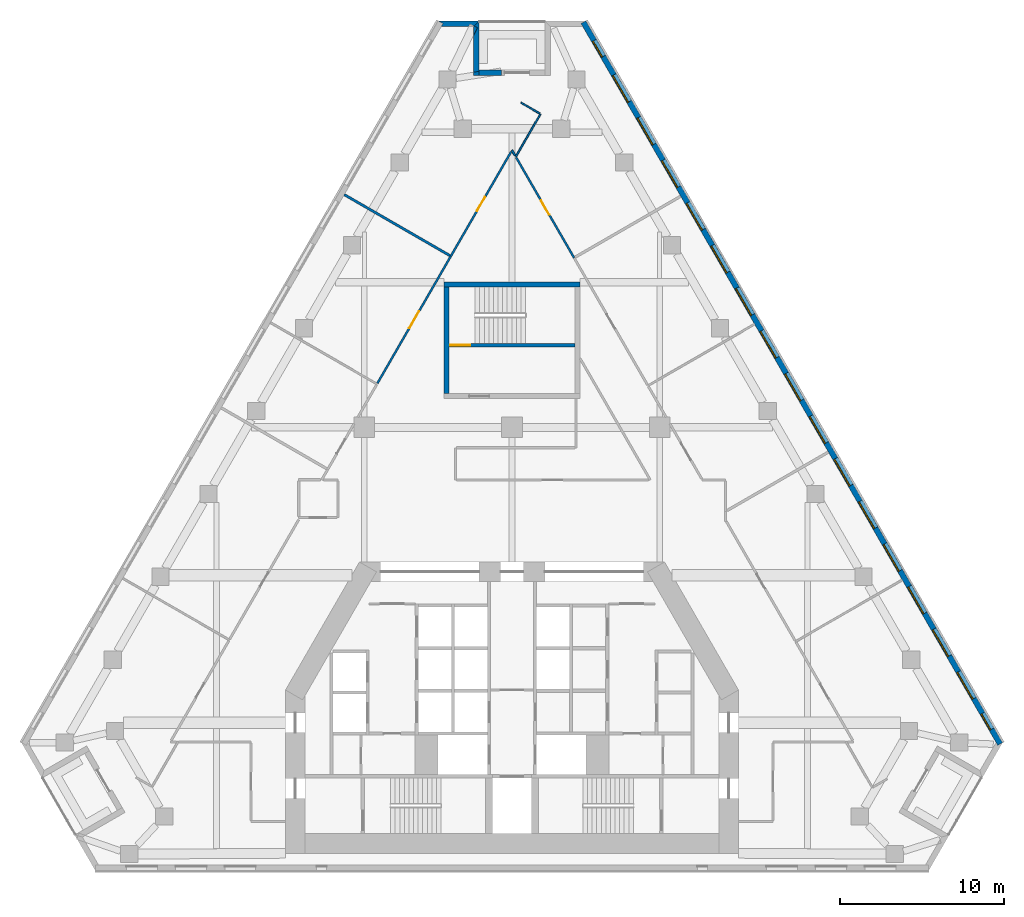
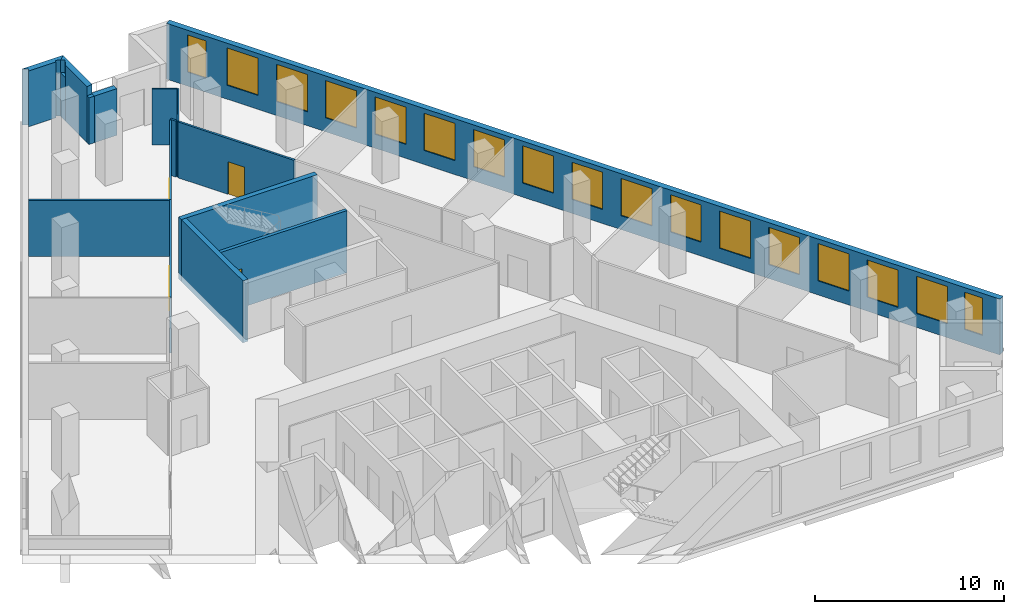
# One storey, part 8 of 10: 17 windows, 16 walls, 4 doors, 21 openings.
"""IFC4 building model written with IfcOpenShell, lengths in metres."""

from ifc_helpers import new_model, si_unit, direction, frame, frame_2d, origin, place, context, subcontext, project, spatial, polyline, rectangle, outline, extrude, material, layer, layer_set, type_object, element, fill, save


model = new_model("IFC4")

# Units and contexts
model_context = context("Model", 3, precision=1e-05, world=origin(), true_north=direction((0.0, 1.0)))
body_context = subcontext(model_context, "Body", "Model", "MODEL_VIEW")
ifc_project = project(units=[si_unit("LENGTHUNIT", "METRE"), si_unit("AREAUNIT", "SQUARE_METRE"), si_unit("VOLUMEUNIT", "CUBIC_METRE"), si_unit("PLANEANGLEUNIT", "RADIAN"), si_unit("MASSUNIT", "GRAM", prefix="KILO")], contexts=[model_context])

# Site, building, storey
site_placement = place(None, origin())
site = spatial("IfcSite", under=ifc_project, at=site_placement, CompositionType="ELEMENT")
building_placement = place(site_placement, origin())
building = spatial("IfcBuilding", under=site, at=building_placement, Name="Fogline Exchange Tower", CompositionType="ELEMENT")
storey_placement = place(building_placement, frame((0.0, 0.0, 120.10009765625)))
storey = spatial("IfcBuildingStorey", under=building, at=storey_placement, Name="L26", CompositionType="ELEMENT", Elevation=120.10009765625)

# Wall, opening, door
ifc_material_1 = material(Name="Concrete C40", Category="concrete")
ifc_layer_1 = layer(ifc_material_1, 0.199951171875)
ifc_layer_set_1 = layer_set([ifc_layer_1], Name="CW20R")
wall_type_1 = type_object("IfcWallType", Name="CW20R", PredefinedType="SOLIDWALL", material=ifc_layer_set_1)
wall_1_placement = place(storey_placement, frame((-3.85009765625, 32.007080078125, -0.400146484375), z_axis=(0.0, 0.0, 1.0), x_axis=(1.0, 0.0, 0.0)))
wall_1 = element("IfcWall", 1, at=wall_1_placement, inside=storey, type_object=wall_type_1, Name="Stair enclosure wall ST3", PredefinedType="SOLIDWALL", context=body_context, shape_type="SweptSolid", body=[
    extrude(rectangle(XDim=7.7001953125, YDim=0.199951171875, at=frame_2d((3.85009765625, 0.0))), origin(), (0.0, 0.0, 1.0), 4.0),
])
opening_1_placement = place(wall_1_placement, frame((0.10009765625, 0.0, 0.39990234375)))
opening_1 = element("IfcOpeningElement", 2, at=opening_1_placement, cuts=wall_1, Name="Opening T08-C024", PredefinedType="OPENING", context=body_context, shape_type="SweptSolid", body=[
    extrude(rectangle(XDim=1.199951171875, YDim=2.10009765625, at=frame_2d((0.60009765625, 1.050048828125))), frame((0.0, 0.10986328125, 0.0), z_axis=(0.0, -1.0, 0.0), x_axis=(1.0, 0.0, 0.0)), (0.0, 0.0, 1.0), 0.219970703125),
])
ifc_material_2 = material(Name="Steel and timber fire door", Category="steel")
door_type_1 = type_object("IfcDoorType", Name="D-ST1", OperationType="SINGLE_SWING_LEFT", PredefinedType="DOOR", material=ifc_material_2)
door_1_placement = place(opening_1_placement, origin())
door_1 = element("IfcDoor", 3, at=door_1_placement, inside=storey, type_object=door_type_1, Name="Stair door ST3", OperationType="SINGLE_SWING_LEFT", OverallHeight=2.10009765625, OverallWidth=1.199951171875, PredefinedType="DOOR", context=body_context, shape_type="SweptSolid", body=[
    extrude(rectangle(XDim=1.199951171875, YDim=2.10009765625, at=frame_2d((0.60009765625, 1.050048828125))), frame((0.0, 0.02490234375, 0.0), z_axis=(0.0, -1.0, 0.0), x_axis=(1.0, 0.0, 0.0)), (0.0, 0.0, 1.0), 0.050048828125),
])
fill(opening_1, door_1)

# Walls
ifc_layer_2 = layer(ifc_material_1, 0.300048828125)
ifc_layer_set_2 = layer_set([ifc_layer_2], Name="CW30")
wall_type_2 = type_object("IfcWallType", Name="CW30", PredefinedType="SOLIDWALL", material=ifc_layer_set_2)
wall_2_placement = place(storey_placement, frame((-4.14990234375, 35.70703125, -0.400146484375), z_axis=(0.0, 0.0, 1.0), x_axis=(1.0, 0.0, 0.0)))
element("IfcWall", 4, at=wall_2_placement, inside=storey, type_object=wall_type_2, Name="Stair enclosure wall ST3", PredefinedType="SOLIDWALL", context=body_context, shape_type="SweptSolid", body=[
    extrude(rectangle(XDim=8.2998046875, YDim=0.300048828125, at=frame_2d((4.14990234375, 0.0))), origin(), (0.0, 0.0, 1.0), 4.0),
])
wall_3_placement = place(storey_placement, frame((-4.0, 29.056884765625, -0.400146484375), z_axis=(0.0, 0.0, 1.0), x_axis=(0.0, 1.0, 0.0)))
element("IfcWall", 5, at=wall_3_placement, inside=storey, type_object=wall_type_2, Name="Stair enclosure wall ST3", PredefinedType="SOLIDWALL", context=body_context, shape_type="SweptSolid", body=[
    extrude(rectangle(XDim=6.5, YDim=0.300048828125, at=frame_2d((3.25, 0.0))), origin(), (0.0, 0.0, 1.0), 4.0),
])

# Wall, openings, windows
ifc_material_3 = material(Name="Brick masonry", Category="masonry")
ifc_layer_3 = layer(ifc_material_3, 0.340087890625)
ifc_layer_set_3 = layer_set([ifc_layer_3], Name="FW1")
wall_type_3 = type_object("IfcWallType", Name="FW1", PredefinedType="SOLIDWALL", material=ifc_layer_set_3)
wall_4_placement = place(storey_placement, frame((29.74609375, 7.709228515625, 0.0), z_axis=(0.0, 0.0, 1.0), x_axis=(-0.500000700546, 0.866024999324, 0.0)))
wall_4 = element("IfcWall", 6, at=wall_4_placement, inside=storey, type_object=wall_type_3, Name="Brick wall L26 E", PredefinedType="SOLIDWALL", context=body_context, shape_type="SweptSolid", body=[
    extrude(rectangle(XDim=50.78662109375, YDim=0.340087890625, at=frame_2d((25.393310546875, 0.0))), origin(), (0.0, 0.0, 1.0), 3.599853515625),
])
opening_2_placement = place(wall_4_placement, frame((3.196533203125, 0.0, 0.89990234375)))
opening_2 = element("IfcOpeningElement", 7, at=opening_2_placement, cuts=wall_4, Name="Opening W1", PredefinedType="OPENING", context=body_context, shape_type="SweptSolid", body=[
    extrude(rectangle(XDim=1.885009765625, YDim=2.39990234375, at=frame_2d((0.9423828125, 1.199951171875))), frame((0.0, 0.18017578125, 0.0), z_axis=(0.0, -1.0, 0.0), x_axis=(1.0, 0.0, 0.0)), (0.0, 0.0, 1.0), 0.360107421875),
])
opening_3_placement = place(wall_4_placement, frame((6.196533203125, 0.0, 0.89990234375)))
opening_3 = element("IfcOpeningElement", 8, at=opening_3_placement, cuts=wall_4, Name="Opening W1", PredefinedType="OPENING", context=body_context, shape_type="SweptSolid", body=[
    extrude(rectangle(XDim=1.885009765625, YDim=2.39990234375, at=frame_2d((0.9423828125, 1.199951171875))), frame((0.0, 0.18017578125, 0.0), z_axis=(0.0, -1.0, 0.0), x_axis=(1.0, 0.0, 0.0)), (0.0, 0.0, 1.0), 0.360107421875),
])
opening_4_placement = place(wall_4_placement, frame((9.196533203125, 0.0, 0.89990234375)))
opening_4 = element("IfcOpeningElement", 9, at=opening_4_placement, cuts=wall_4, Name="Opening W1", PredefinedType="OPENING", context=body_context, shape_type="SweptSolid", body=[
    extrude(rectangle(XDim=1.885009765625, YDim=2.39990234375, at=frame_2d((0.9423828125, 1.199951171875))), frame((0.0, 0.18017578125, 0.0), z_axis=(0.0, -1.0, 0.0), x_axis=(1.0, 0.0, 0.0)), (0.0, 0.0, 1.0), 0.360107421875),
])
opening_5_placement = place(wall_4_placement, frame((12.196533203125, 0.0, 0.89990234375)))
opening_5 = element("IfcOpeningElement", 10, at=opening_5_placement, cuts=wall_4, Name="Opening W1", PredefinedType="OPENING", context=body_context, shape_type="SweptSolid", body=[
    extrude(rectangle(XDim=1.885009765625, YDim=2.39990234375, at=frame_2d((0.9423828125, 1.199951171875))), frame((0.0, 0.18017578125, 0.0), z_axis=(0.0, -1.0, 0.0), x_axis=(1.0, 0.0, 0.0)), (0.0, 0.0, 1.0), 0.360107421875),
])
opening_6_placement = place(wall_4_placement, frame((15.196533203125, 0.0, 0.89990234375)))
opening_6 = element("IfcOpeningElement", 11, at=opening_6_placement, cuts=wall_4, Name="Opening W1", PredefinedType="OPENING", context=body_context, shape_type="SweptSolid", body=[
    extrude(rectangle(XDim=1.885009765625, YDim=2.39990234375, at=frame_2d((0.9423828125, 1.199951171875))), frame((0.0, 0.18017578125, 0.0), z_axis=(0.0, -1.0, 0.0), x_axis=(1.0, 0.0, 0.0)), (0.0, 0.0, 1.0), 0.360107421875),
])
opening_7_placement = place(wall_4_placement, frame((18.196533203125, 0.0, 0.89990234375)))
opening_7 = element("IfcOpeningElement", 12, at=opening_7_placement, cuts=wall_4, Name="Opening W1", PredefinedType="OPENING", context=body_context, shape_type="SweptSolid", body=[
    extrude(rectangle(XDim=1.885009765625, YDim=2.39990234375, at=frame_2d((0.9423828125, 1.199951171875))), frame((0.0, 0.18017578125, 0.0), z_axis=(0.0, -1.0, 0.0), x_axis=(1.0, 0.0, 0.0)), (0.0, 0.0, 1.0), 0.360107421875),
])
opening_8_placement = place(wall_4_placement, frame((21.196533203125, 0.0, 0.89990234375)))
opening_8 = element("IfcOpeningElement", 13, at=opening_8_placement, cuts=wall_4, Name="Opening W1", PredefinedType="OPENING", context=body_context, shape_type="SweptSolid", body=[
    extrude(rectangle(XDim=1.885009765625, YDim=2.39990234375, at=frame_2d((0.9423828125, 1.199951171875))), frame((0.0, 0.18017578125, 0.0), z_axis=(0.0, -1.0, 0.0), x_axis=(1.0, 0.0, 0.0)), (0.0, 0.0, 1.0), 0.360107421875),
])
opening_9_placement = place(wall_4_placement, frame((24.196533203125, 0.0, 0.89990234375)))
opening_9 = element("IfcOpeningElement", 14, at=opening_9_placement, cuts=wall_4, Name="Opening W1", PredefinedType="OPENING", context=body_context, shape_type="SweptSolid", body=[
    extrude(rectangle(XDim=1.885009765625, YDim=2.39990234375, at=frame_2d((0.9423828125, 1.199951171875))), frame((0.0, 0.18017578125, 0.0), z_axis=(0.0, -1.0, 0.0), x_axis=(1.0, 0.0, 0.0)), (0.0, 0.0, 1.0), 0.360107421875),
])
opening_10_placement = place(wall_4_placement, frame((27.196533203125, 0.0, 0.89990234375)))
opening_10 = element("IfcOpeningElement", 15, at=opening_10_placement, cuts=wall_4, Name="Opening W1", PredefinedType="OPENING", context=body_context, shape_type="SweptSolid", body=[
    extrude(rectangle(XDim=1.885009765625, YDim=2.39990234375, at=frame_2d((0.9423828125, 1.199951171875))), frame((0.0, 0.18017578125, 0.0), z_axis=(0.0, -1.0, 0.0), x_axis=(1.0, 0.0, 0.0)), (0.0, 0.0, 1.0), 0.360107421875),
])
opening_11_placement = place(wall_4_placement, frame((30.196533203125, 0.0, 0.89990234375)))
opening_11 = element("IfcOpeningElement", 16, at=opening_11_placement, cuts=wall_4, Name="Opening W1", PredefinedType="OPENING", context=body_context, shape_type="SweptSolid", body=[
    extrude(rectangle(XDim=1.885009765625, YDim=2.39990234375, at=frame_2d((0.9423828125, 1.199951171875))), frame((0.0, 0.18017578125, 0.0), z_axis=(0.0, -1.0, 0.0), x_axis=(1.0, 0.0, 0.0)), (0.0, 0.0, 1.0), 0.360107421875),
])
opening_12_placement = place(wall_4_placement, frame((33.196533203125, 0.0, 0.89990234375)))
opening_12 = element("IfcOpeningElement", 17, at=opening_12_placement, cuts=wall_4, Name="Opening W1", PredefinedType="OPENING", context=body_context, shape_type="SweptSolid", body=[
    extrude(rectangle(XDim=1.885009765625, YDim=2.39990234375, at=frame_2d((0.9423828125, 1.199951171875))), frame((0.0, 0.18017578125, 0.0), z_axis=(0.0, -1.0, 0.0), x_axis=(1.0, 0.0, 0.0)), (0.0, 0.0, 1.0), 0.360107421875),
])
opening_13_placement = place(wall_4_placement, frame((36.196533203125, 0.0, 0.89990234375)))
opening_13 = element("IfcOpeningElement", 18, at=opening_13_placement, cuts=wall_4, Name="Opening W1", PredefinedType="OPENING", context=body_context, shape_type="SweptSolid", body=[
    extrude(rectangle(XDim=1.885009765625, YDim=2.39990234375, at=frame_2d((0.9423828125, 1.199951171875))), frame((0.0, 0.18017578125, 0.0), z_axis=(0.0, -1.0, 0.0), x_axis=(1.0, 0.0, 0.0)), (0.0, 0.0, 1.0), 0.360107421875),
])
opening_14_placement = place(wall_4_placement, frame((39.196533203125, 0.0, 0.89990234375)))
opening_14 = element("IfcOpeningElement", 19, at=opening_14_placement, cuts=wall_4, Name="Opening W1", PredefinedType="OPENING", context=body_context, shape_type="SweptSolid", body=[
    extrude(rectangle(XDim=1.885009765625, YDim=2.39990234375, at=frame_2d((0.9423828125, 1.199951171875))), frame((0.0, 0.18017578125, 0.0), z_axis=(0.0, -1.0, 0.0), x_axis=(1.0, 0.0, 0.0)), (0.0, 0.0, 1.0), 0.360107421875),
])
opening_15_placement = place(wall_4_placement, frame((42.196533203125, 0.0, 0.89990234375)))
opening_15 = element("IfcOpeningElement", 20, at=opening_15_placement, cuts=wall_4, Name="Opening W1", PredefinedType="OPENING", context=body_context, shape_type="SweptSolid", body=[
    extrude(rectangle(XDim=1.885009765625, YDim=2.39990234375, at=frame_2d((0.9423828125, 1.199951171875))), frame((0.0, 0.18017578125, 0.0), z_axis=(0.0, -1.0, 0.0), x_axis=(1.0, 0.0, 0.0)), (0.0, 0.0, 1.0), 0.360107421875),
])
opening_16_placement = place(wall_4_placement, frame((45.196533203125, 0.0, 0.89990234375)))
opening_16 = element("IfcOpeningElement", 21, at=opening_16_placement, cuts=wall_4, Name="Opening W1", PredefinedType="OPENING", context=body_context, shape_type="SweptSolid", body=[
    extrude(rectangle(XDim=1.885009765625, YDim=2.39990234375, at=frame_2d((0.9423828125, 1.199951171875))), frame((0.0, 0.18017578125, 0.0), z_axis=(0.0, -1.0, 0.0), x_axis=(1.0, 0.0, 0.0)), (0.0, 0.0, 1.0), 0.360107421875),
])
opening_17_placement = place(wall_4_placement, frame((1.040771484375, 0.0, 0.89990234375)))
opening_17 = element("IfcOpeningElement", 22, at=opening_17_placement, cuts=wall_4, Name="Opening W4", PredefinedType="OPENING", context=body_context, shape_type="SweptSolid", body=[
    extrude(rectangle(XDim=1.114990234375, YDim=2.39990234375, at=frame_2d((0.5576171875, 1.199951171875))), frame((0.0, 0.18017578125, 0.0), z_axis=(0.0, -1.0, 0.0), x_axis=(1.0, 0.0, 0.0)), (0.0, 0.0, 1.0), 0.360107421875),
])
opening_18_placement = place(wall_4_placement, frame((48.37646484375, 0.0, 0.89990234375)))
opening_18 = element("IfcOpeningElement", 23, at=opening_18_placement, cuts=wall_4, Name="Opening W4", PredefinedType="OPENING", context=body_context, shape_type="SweptSolid", body=[
    extrude(rectangle(XDim=1.114990234375, YDim=2.39990234375, at=frame_2d((0.5576171875, 1.199951171875))), frame((0.0, 0.18017578125, 0.0), z_axis=(0.0, -1.0, 0.0), x_axis=(1.0, 0.0, 0.0)), (0.0, 0.0, 1.0), 0.360107421875),
])
ifc_material_4 = material(Name="Aluminium and glass", Category="aluminium")
window_type_1 = type_object("IfcWindowType", Name="W1", PartitioningType="SINGLE_PANEL", PredefinedType="WINDOW", material=ifc_material_4)
window_1_placement = place(opening_2_placement, origin())
window_1 = element("IfcWindow", 24, at=window_1_placement, inside=storey, type_object=window_type_1, Name="W1 W1", OverallHeight=2.39990234375, OverallWidth=1.885009765625, PartitioningType="SINGLE_PANEL", PredefinedType="WINDOW", context=body_context, shape_type="SweptSolid", body=[
    extrude(rectangle(XDim=1.885009765625, YDim=2.39990234375, at=frame_2d((0.9423828125, 1.199951171875))), frame((0.0, 0.110107421875, 0.0), z_axis=(0.0, -1.0, 0.0), x_axis=(1.0, 0.0, 0.0)), (0.0, 0.0, 1.0), 0.06005859375),
])
fill(opening_2, window_1)
window_2_placement = place(opening_3_placement, origin())
window_2 = element("IfcWindow", 25, at=window_2_placement, inside=storey, type_object=window_type_1, Name="W1 W1", OverallHeight=2.39990234375, OverallWidth=1.885009765625, PartitioningType="SINGLE_PANEL", PredefinedType="WINDOW", context=body_context, shape_type="SweptSolid", body=[
    extrude(rectangle(XDim=1.885009765625, YDim=2.39990234375, at=frame_2d((0.9423828125, 1.199951171875))), frame((0.0, 0.110107421875, 0.0), z_axis=(0.0, -1.0, 0.0), x_axis=(1.0, 0.0, 0.0)), (0.0, 0.0, 1.0), 0.06005859375),
])
fill(opening_3, window_2)
window_3_placement = place(opening_4_placement, origin())
window_3 = element("IfcWindow", 26, at=window_3_placement, inside=storey, type_object=window_type_1, Name="W1 W1", OverallHeight=2.39990234375, OverallWidth=1.885009765625, PartitioningType="SINGLE_PANEL", PredefinedType="WINDOW", context=body_context, shape_type="SweptSolid", body=[
    extrude(rectangle(XDim=1.885009765625, YDim=2.39990234375, at=frame_2d((0.9423828125, 1.199951171875))), frame((0.0, 0.110107421875, 0.0), z_axis=(0.0, -1.0, 0.0), x_axis=(1.0, 0.0, 0.0)), (0.0, 0.0, 1.0), 0.06005859375),
])
fill(opening_4, window_3)
window_4_placement = place(opening_5_placement, origin())
window_4 = element("IfcWindow", 27, at=window_4_placement, inside=storey, type_object=window_type_1, Name="W1 W1", OverallHeight=2.39990234375, OverallWidth=1.885009765625, PartitioningType="SINGLE_PANEL", PredefinedType="WINDOW", context=body_context, shape_type="SweptSolid", body=[
    extrude(rectangle(XDim=1.885009765625, YDim=2.39990234375, at=frame_2d((0.9423828125, 1.199951171875))), frame((0.0, 0.110107421875, 0.0), z_axis=(0.0, -1.0, 0.0), x_axis=(1.0, 0.0, 0.0)), (0.0, 0.0, 1.0), 0.06005859375),
])
fill(opening_5, window_4)
window_5_placement = place(opening_6_placement, origin())
window_5 = element("IfcWindow", 28, at=window_5_placement, inside=storey, type_object=window_type_1, Name="W1 W1", OverallHeight=2.39990234375, OverallWidth=1.885009765625, PartitioningType="SINGLE_PANEL", PredefinedType="WINDOW", context=body_context, shape_type="SweptSolid", body=[
    extrude(rectangle(XDim=1.885009765625, YDim=2.39990234375, at=frame_2d((0.9423828125, 1.199951171875))), frame((0.0, 0.110107421875, 0.0), z_axis=(0.0, -1.0, 0.0), x_axis=(1.0, 0.0, 0.0)), (0.0, 0.0, 1.0), 0.06005859375),
])
fill(opening_6, window_5)
window_6_placement = place(opening_7_placement, origin())
window_6 = element("IfcWindow", 29, at=window_6_placement, inside=storey, type_object=window_type_1, Name="W1 W1", OverallHeight=2.39990234375, OverallWidth=1.885009765625, PartitioningType="SINGLE_PANEL", PredefinedType="WINDOW", context=body_context, shape_type="SweptSolid", body=[
    extrude(rectangle(XDim=1.885009765625, YDim=2.39990234375, at=frame_2d((0.9423828125, 1.199951171875))), frame((0.0, 0.110107421875, 0.0), z_axis=(0.0, -1.0, 0.0), x_axis=(1.0, 0.0, 0.0)), (0.0, 0.0, 1.0), 0.06005859375),
])
fill(opening_7, window_6)
window_7_placement = place(opening_8_placement, origin())
window_7 = element("IfcWindow", 30, at=window_7_placement, inside=storey, type_object=window_type_1, Name="W1 W1", OverallHeight=2.39990234375, OverallWidth=1.885009765625, PartitioningType="SINGLE_PANEL", PredefinedType="WINDOW", context=body_context, shape_type="SweptSolid", body=[
    extrude(rectangle(XDim=1.885009765625, YDim=2.39990234375, at=frame_2d((0.9423828125, 1.199951171875))), frame((0.0, 0.110107421875, 0.0), z_axis=(0.0, -1.0, 0.0), x_axis=(1.0, 0.0, 0.0)), (0.0, 0.0, 1.0), 0.06005859375),
])
fill(opening_8, window_7)
window_8_placement = place(opening_9_placement, origin())
window_8 = element("IfcWindow", 31, at=window_8_placement, inside=storey, type_object=window_type_1, Name="W1 W1", OverallHeight=2.39990234375, OverallWidth=1.885009765625, PartitioningType="SINGLE_PANEL", PredefinedType="WINDOW", context=body_context, shape_type="SweptSolid", body=[
    extrude(rectangle(XDim=1.885009765625, YDim=2.39990234375, at=frame_2d((0.9423828125, 1.199951171875))), frame((0.0, 0.110107421875, 0.0), z_axis=(0.0, -1.0, 0.0), x_axis=(1.0, 0.0, 0.0)), (0.0, 0.0, 1.0), 0.06005859375),
])
fill(opening_9, window_8)
window_9_placement = place(opening_10_placement, origin())
window_9 = element("IfcWindow", 32, at=window_9_placement, inside=storey, type_object=window_type_1, Name="W1 W1", OverallHeight=2.39990234375, OverallWidth=1.885009765625, PartitioningType="SINGLE_PANEL", PredefinedType="WINDOW", context=body_context, shape_type="SweptSolid", body=[
    extrude(rectangle(XDim=1.885009765625, YDim=2.39990234375, at=frame_2d((0.9423828125, 1.199951171875))), frame((0.0, 0.110107421875, 0.0), z_axis=(0.0, -1.0, 0.0), x_axis=(1.0, 0.0, 0.0)), (0.0, 0.0, 1.0), 0.06005859375),
])
fill(opening_10, window_9)
window_10_placement = place(opening_11_placement, origin())
window_10 = element("IfcWindow", 33, at=window_10_placement, inside=storey, type_object=window_type_1, Name="W1 W1", OverallHeight=2.39990234375, OverallWidth=1.885009765625, PartitioningType="SINGLE_PANEL", PredefinedType="WINDOW", context=body_context, shape_type="SweptSolid", body=[
    extrude(rectangle(XDim=1.885009765625, YDim=2.39990234375, at=frame_2d((0.9423828125, 1.199951171875))), frame((0.0, 0.110107421875, 0.0), z_axis=(0.0, -1.0, 0.0), x_axis=(1.0, 0.0, 0.0)), (0.0, 0.0, 1.0), 0.06005859375),
])
fill(opening_11, window_10)
window_11_placement = place(opening_12_placement, origin())
window_11 = element("IfcWindow", 34, at=window_11_placement, inside=storey, type_object=window_type_1, Name="W1 W1", OverallHeight=2.39990234375, OverallWidth=1.885009765625, PartitioningType="SINGLE_PANEL", PredefinedType="WINDOW", context=body_context, shape_type="SweptSolid", body=[
    extrude(rectangle(XDim=1.885009765625, YDim=2.39990234375, at=frame_2d((0.9423828125, 1.199951171875))), frame((0.0, 0.110107421875, 0.0), z_axis=(0.0, -1.0, 0.0), x_axis=(1.0, 0.0, 0.0)), (0.0, 0.0, 1.0), 0.06005859375),
])
fill(opening_12, window_11)
window_12_placement = place(opening_13_placement, origin())
window_12 = element("IfcWindow", 35, at=window_12_placement, inside=storey, type_object=window_type_1, Name="W1 W1", OverallHeight=2.39990234375, OverallWidth=1.885009765625, PartitioningType="SINGLE_PANEL", PredefinedType="WINDOW", context=body_context, shape_type="SweptSolid", body=[
    extrude(rectangle(XDim=1.885009765625, YDim=2.39990234375, at=frame_2d((0.9423828125, 1.199951171875))), frame((0.0, 0.110107421875, 0.0), z_axis=(0.0, -1.0, 0.0), x_axis=(1.0, 0.0, 0.0)), (0.0, 0.0, 1.0), 0.06005859375),
])
fill(opening_13, window_12)
window_13_placement = place(opening_14_placement, origin())
window_13 = element("IfcWindow", 36, at=window_13_placement, inside=storey, type_object=window_type_1, Name="W1 W1", OverallHeight=2.39990234375, OverallWidth=1.885009765625, PartitioningType="SINGLE_PANEL", PredefinedType="WINDOW", context=body_context, shape_type="SweptSolid", body=[
    extrude(rectangle(XDim=1.885009765625, YDim=2.39990234375, at=frame_2d((0.9423828125, 1.199951171875))), frame((0.0, 0.110107421875, 0.0), z_axis=(0.0, -1.0, 0.0), x_axis=(1.0, 0.0, 0.0)), (0.0, 0.0, 1.0), 0.06005859375),
])
fill(opening_14, window_13)
window_14_placement = place(opening_15_placement, origin())
window_14 = element("IfcWindow", 37, at=window_14_placement, inside=storey, type_object=window_type_1, Name="W1 W1", OverallHeight=2.39990234375, OverallWidth=1.885009765625, PartitioningType="SINGLE_PANEL", PredefinedType="WINDOW", context=body_context, shape_type="SweptSolid", body=[
    extrude(rectangle(XDim=1.885009765625, YDim=2.39990234375, at=frame_2d((0.9423828125, 1.199951171875))), frame((0.0, 0.110107421875, 0.0), z_axis=(0.0, -1.0, 0.0), x_axis=(1.0, 0.0, 0.0)), (0.0, 0.0, 1.0), 0.06005859375),
])
fill(opening_15, window_14)
window_15_placement = place(opening_16_placement, origin())
window_15 = element("IfcWindow", 38, at=window_15_placement, inside=storey, type_object=window_type_1, Name="W1 W1", OverallHeight=2.39990234375, OverallWidth=1.885009765625, PartitioningType="SINGLE_PANEL", PredefinedType="WINDOW", context=body_context, shape_type="SweptSolid", body=[
    extrude(rectangle(XDim=1.885009765625, YDim=2.39990234375, at=frame_2d((0.9423828125, 1.199951171875))), frame((0.0, 0.110107421875, 0.0), z_axis=(0.0, -1.0, 0.0), x_axis=(1.0, 0.0, 0.0)), (0.0, 0.0, 1.0), 0.06005859375),
])
fill(opening_16, window_15)
window_type_2 = type_object("IfcWindowType", Name="W4", PartitioningType="SINGLE_PANEL", PredefinedType="WINDOW", material=ifc_material_4)
window_16_placement = place(opening_17_placement, origin())
window_16 = element("IfcWindow", 39, at=window_16_placement, inside=storey, type_object=window_type_2, Name="W4 W4", OverallHeight=2.39990234375, OverallWidth=1.114990234375, PartitioningType="SINGLE_PANEL", PredefinedType="WINDOW", context=body_context, shape_type="SweptSolid", body=[
    extrude(rectangle(XDim=1.114990234375, YDim=2.39990234375, at=frame_2d((0.5576171875, 1.199951171875))), frame((0.0, 0.110107421875, 0.0), z_axis=(0.0, -1.0, 0.0), x_axis=(1.0, 0.0, 0.0)), (0.0, 0.0, 1.0), 0.06005859375),
])
fill(opening_17, window_16)
window_17_placement = place(opening_18_placement, origin())
window_17 = element("IfcWindow", 40, at=window_17_placement, inside=storey, type_object=window_type_2, Name="W4 W4", OverallHeight=2.39990234375, OverallWidth=1.114990234375, PartitioningType="SINGLE_PANEL", PredefinedType="WINDOW", context=body_context, shape_type="SweptSolid", body=[
    extrude(rectangle(XDim=1.114990234375, YDim=2.39990234375, at=frame_2d((0.5576171875, 1.199951171875))), frame((0.0, 0.110107421875, 0.0), z_axis=(0.0, -1.0, 0.0), x_axis=(1.0, 0.0, 0.0)), (0.0, 0.0, 1.0), 0.06005859375),
])
fill(opening_18, window_17)

# Walls
wall_5_placement = place(storey_placement, frame((-0.64404296875, 48.606689453125, 0.0), z_axis=(0.0, 0.0, 1.0), x_axis=(-1.0, 0.0, 0.0)))
element("IfcWall", 41, at=wall_5_placement, inside=storey, type_object=wall_type_3, Name="Brick wall L26 N-bk", PredefinedType="SOLIDWALL", context=body_context, shape_type="SweptSolid", body=[
    extrude(rectangle(XDim=1.35595703125, YDim=0.340087890625, at=frame_2d((0.677978515625, 0.0))), origin(), (0.0, 0.0, 1.0), 3.0),
])
wall_6_placement = place(storey_placement, origin())
element("IfcWall", 42, at=wall_6_placement, inside=storey, type_object=wall_type_3, Name="Brick wall L26 N-s2", PredefinedType="SOLIDWALL", context=body_context, shape_type="SweptSolid", body=[
    extrude(outline(polyline([(-2.340576171875, 51.43701171875), (-2.320556640625, 51.45703125), (-2.114990234375, 51.357421875), (-2.340576171875, 50.891357421875), (-2.340576171875, 51.43701171875)])), origin(), (0.0, 0.0, 1.0), 2.7998046875),
])
wall_7_placement = place(storey_placement, origin())
element("IfcWall", 43, at=wall_7_placement, inside=storey, type_object=wall_type_3, Name="Brick wall L26 N-s2", PredefinedType="SOLIDWALL", context=body_context, shape_type="SweptSolid", body=[
    extrude(outline(polyline([(-2.340576171875, 48.43603515625), (-2.340576171875, 48.644287109375), (-1.99951171875, 48.697265625), (-1.99951171875, 48.43603515625), (-2.340576171875, 48.43603515625)])), origin(), (0.0, 0.0, 1.0), 3.0),
])
wall_8_placement = place(storey_placement, origin())
element("IfcWall", 44, at=wall_8_placement, inside=storey, type_object=wall_type_3, Name="Brick wall L26 N-s2", PredefinedType="SOLIDWALL", context=body_context, shape_type="SweptSolid", body=[
    extrude(outline(polyline([(-2.340576171875, 50.891357421875), (-2.114990234375, 51.357421875), (-2.320556640625, 51.45703125), (-1.999755859375, 51.77783203125), (-1.99951171875, 51.777587890625), (-1.99951171875, 48.697265625), (-2.340576171875, 48.644287109375), (-2.340576171875, 50.891357421875)])), origin(), (0.0, 0.0, 1.0), 3.599853515625),
])
wall_9_placement = place(storey_placement, origin())
element("IfcWall", 45, at=wall_9_placement, inside=storey, type_object=wall_type_3, Name="Brick wall L26 N-c2", PredefinedType="SOLIDWALL", context=body_context, shape_type="SweptSolid", body=[
    extrude(outline(polyline([(-4.206298828125, 51.6064453125), (-4.501220703125, 51.776611328125), (-4.5009765625, 51.77734375), (-1.9990234375, 51.77734375), (-1.998779296875, 51.77685546875), (-2.3193359375, 51.456298828125), (-2.56494140625, 51.5751953125), (-2.63232421875, 51.43603515625), (-4.3046875, 51.43603515625), (-4.206298828125, 51.6064453125)])), origin(), (0.0, 0.0, 1.0), 3.599853515625),
])
ifc_material_5 = material(Name="Plasterboard partition, 2 layers each side on steel studs", Category="steel")
ifc_layer_4 = layer(ifc_material_5, 0.10009765625)
ifc_layer_set_4 = layer_set([ifc_layer_4], Name="PW1")
wall_type_4 = type_object("IfcWallType", Name="PW1", PredefinedType="PARTITIONING", material=ifc_layer_set_4)
wall_10_placement = place(storey_placement, frame((0.23095703125, 43.490966796875, 0.0), z_axis=(0.0, 0.0, 1.0), x_axis=(0.499979445284, 0.86603727073, 0.0)))
element("IfcWall", 46, at=wall_10_placement, inside=storey, type_object=wall_type_4, Name="wall-L26-W037", PredefinedType="PARTITIONING", context=body_context, shape_type="SweptSolid", body=[
    extrude(rectangle(XDim=3.015380859375, YDim=0.10009765625, at=frame_2d((1.5078125, 0.0))), origin(), (0.0, 0.0, 1.0), 3.599853515625),
])
wall_11_placement = place(storey_placement, frame((1.6953125, 46.127197265625, 0.0), z_axis=(0.0, 0.0, 1.0), x_axis=(-0.866059217203, 0.499941428866, 0.0)))
element("IfcWall", 47, at=wall_11_placement, inside=storey, type_object=wall_type_4, Name="wall-L26-W038", PredefinedType="PARTITIONING", context=body_context, shape_type="SweptSolid", body=[
    extrude(rectangle(XDim=1.319091796875, YDim=0.10009765625, at=frame_2d((0.65966796875, 0.0))), origin(), (0.0, 0.0, 1.0), 3.599853515625),
])

# Wall, opening, door
ifc_material_6 = material(Name="Plasterboard corridor partition with mineral wool, 2 layers each side")
ifc_layer_5 = layer(ifc_material_6, 0.125)
ifc_layer_set_5 = layer_set([ifc_layer_5], Name="PW2")
wall_type_5 = type_object("IfcWallType", Name="PW2", PredefinedType="PARTITIONING", material=ifc_layer_set_5)
wall_12_placement = place(storey_placement, frame((0.252685546875, 43.452880859375, 0.0), z_axis=(0.0, 0.0, 1.0), x_axis=(0.500031657121, -0.866007125766, 0.0)))
wall_12 = element("IfcWall", 48, at=wall_12_placement, inside=storey, type_object=wall_type_5, Name="wall-L26-W015", PredefinedType="PARTITIONING", context=body_context, shape_type="SweptSolid", body=[
    extrude(rectangle(XDim=7.0625, YDim=0.125, at=frame_2d((3.53125, 0.0))), origin(), (0.0, 0.0, 1.0), 3.599853515625),
])
opening_19_placement = place(wall_12_placement, frame((3.03125, 0.0, 0.0)))
opening_19 = element("IfcOpeningElement", 49, at=opening_19_placement, cuts=wall_12, Name="Opening T08-D007", PredefinedType="OPENING", context=body_context, shape_type="SweptSolid", body=[
    extrude(rectangle(XDim=1.0, YDim=2.10009765625, at=frame_2d((0.5, 1.050048828125))), frame((0.0, 0.072509765625, 0.0), z_axis=(0.0, -1.0, 0.0), x_axis=(1.0, 0.0, 0.0)), (0.0, 0.0, 1.0), 0.14501953125),
])
ifc_material_7 = material(Name="Fire-rated timber door leaf with steel frame", Category="steel")
door_type_2 = type_object("IfcDoorType", Name="D3", OperationType="SINGLE_SWING_LEFT", PredefinedType="DOOR", material=ifc_material_7)
door_2_placement = place(opening_19_placement, origin())
door_2 = element("IfcDoor", 50, at=door_2_placement, inside=storey, type_object=door_type_2, Name="door-L26-D007", OperationType="SINGLE_SWING_RIGHT", OverallHeight=2.10009765625, OverallWidth=1.0, PredefinedType="DOOR", context=body_context, shape_type="SweptSolid", body=[
    extrude(rectangle(XDim=1.0, YDim=2.10009765625, at=frame_2d((0.5, 1.050048828125))), frame((0.0, 0.02490234375, 0.0), z_axis=(0.0, -1.0, 0.0), x_axis=(1.0, 0.0, 0.0)), (0.0, 0.0, 1.0), 0.050048828125),
])
fill(opening_19, door_2)

wall_13_placement = place(storey_placement, frame((-3.7265625, 37.436279296875, 0.0), z_axis=(0.0, 0.0, 1.0), x_axis=(0.4999967785, 0.866027263711, 0.0)))
wall_13 = element("IfcWall", 51, at=wall_13_placement, inside=storey, type_object=wall_type_5, Name="wall-L26-W016", PredefinedType="PARTITIONING", context=body_context, shape_type="SweptSolid", body=[
    extrude(rectangle(XDim=7.34423828125, YDim=0.125, at=frame_2d((3.672119140625, 0.0))), origin(), (0.0, 0.0, 1.0), 3.599853515625),
])
opening_20_placement = place(wall_13_placement, frame((3.172119140625, 0.0, 0.0)))
opening_20 = element("IfcOpeningElement", 52, at=opening_20_placement, cuts=wall_13, Name="Opening T08-D008", PredefinedType="OPENING", context=body_context, shape_type="SweptSolid", body=[
    extrude(rectangle(XDim=1.0, YDim=2.10009765625, at=frame_2d((0.5, 1.050048828125))), frame((0.0, 0.072509765625, 0.0), z_axis=(0.0, -1.0, 0.0), x_axis=(1.0, 0.0, 0.0)), (0.0, 0.0, 1.0), 0.14501953125),
])
door_3_placement = place(opening_20_placement, origin())
door_3 = element("IfcDoor", 53, at=door_3_placement, inside=storey, type_object=door_type_2, Name="door-L26-D008", OperationType="SINGLE_SWING_RIGHT", OverallHeight=2.10009765625, OverallWidth=1.0, PredefinedType="DOOR", context=body_context, shape_type="SweptSolid", body=[
    extrude(rectangle(XDim=1.0, YDim=2.10009765625, at=frame_2d((0.5, 1.050048828125))), frame((0.0, 0.02490234375, 0.0), z_axis=(0.0, -1.0, 0.0), x_axis=(1.0, 0.0, 0.0)), (0.0, 0.0, 1.0), 0.050048828125),
])
fill(opening_20, door_3)

# Wall
wall_14_placement = place(storey_placement, frame((0.0, 43.890869140625, 0.0), z_axis=(0.0, 0.0, 1.0), x_axis=(0.50006736263, -0.865986508459, 0.0)))
element("IfcWall", 54, at=wall_14_placement, inside=storey, type_object=wall_type_5, Name="wall-L26-W017", PredefinedType="PARTITIONING", context=body_context, shape_type="SweptSolid", body=[
    extrude(rectangle(XDim=0.36767578125, YDim=0.125, at=frame_2d((0.183837890625, 0.0))), origin(), (0.0, 0.0, 1.0), 3.599853515625),
])

# Wall, opening, door
wall_15_placement = place(storey_placement, frame((-8.201416015625, 29.685791015625, 0.0), z_axis=(0.0, 0.0, 1.0), x_axis=(0.500008968592, 0.866020225704, 0.0)))
wall_15 = element("IfcWall", 55, at=wall_15_placement, inside=storey, type_object=wall_type_5, Name="wall-L26-W018", PredefinedType="PARTITIONING", context=body_context, shape_type="SweptSolid", body=[
    extrude(rectangle(XDim=8.949462890625, YDim=0.125, at=frame_2d((4.474609375, 0.0))), origin(), (0.0, 0.0, 1.0), 3.599853515625),
])
opening_21_placement = place(wall_15_placement, frame((3.874755859375, 0.0, 0.0)))
opening_21 = element("IfcOpeningElement", 56, at=opening_21_placement, cuts=wall_15, Name="Opening T08-D009", PredefinedType="OPENING", context=body_context, shape_type="SweptSolid", body=[
    extrude(rectangle(XDim=1.199951171875, YDim=2.10009765625, at=frame_2d((0.60009765625, 1.050048828125))), frame((0.0, 0.072509765625, 0.0), z_axis=(0.0, -1.0, 0.0), x_axis=(1.0, 0.0, 0.0)), (0.0, 0.0, 1.0), 0.14501953125),
])
ifc_material_8 = material(Name="Fire-rated glazed door leaf with steel frame", Category="steel")
door_type_3 = type_object("IfcDoorType", Name="D5", OperationType="SINGLE_SWING_LEFT", PredefinedType="DOOR", material=ifc_material_8)
door_4_placement = place(opening_21_placement, origin())
door_4 = element("IfcDoor", 57, at=door_4_placement, inside=storey, type_object=door_type_3, Name="door-L26-D009", OperationType="SINGLE_SWING_RIGHT", OverallHeight=2.10009765625, OverallWidth=1.199951171875, PredefinedType="DOOR", context=body_context, shape_type="SweptSolid", body=[
    extrude(rectangle(XDim=1.199951171875, YDim=2.10009765625, at=frame_2d((0.60009765625, 1.050048828125))), frame((0.0, 0.02490234375, 0.0), z_axis=(0.0, -1.0, 0.0), x_axis=(1.0, 0.0, 0.0)), (0.0, 0.0, 1.0), 0.050048828125),
])
fill(opening_21, door_4)

# Wall
ifc_material_9 = material(Name="Plasterboard demising partition with mineral wool and acoustic board")
ifc_layer_6 = layer(ifc_material_9, 0.14990234375)
ifc_layer_set_6 = layer_set([ifc_layer_6], Name="PW3")
wall_type_6 = type_object("IfcWallType", Name="PW3", PredefinedType="PARTITIONING", material=ifc_layer_set_6)
wall_16_placement = place(storey_placement, frame((-3.78076171875, 37.467529296875, 0.0), z_axis=(0.0, 0.0, 1.0), x_axis=(-0.866020497041, 0.500008498633, 0.0)))
element("IfcWall", 58, at=wall_16_placement, inside=storey, type_object=wall_type_6, Name="wall-L26-W039", PredefinedType="PARTITIONING", context=body_context, shape_type="SweptSolid", body=[
    extrude(rectangle(XDim=7.437255859375, YDim=0.14990234375, at=frame_2d((3.71875, 0.0))), origin(), (0.0, 0.0, 1.0), 3.599853515625),
])

save(model, "model.ifc")
